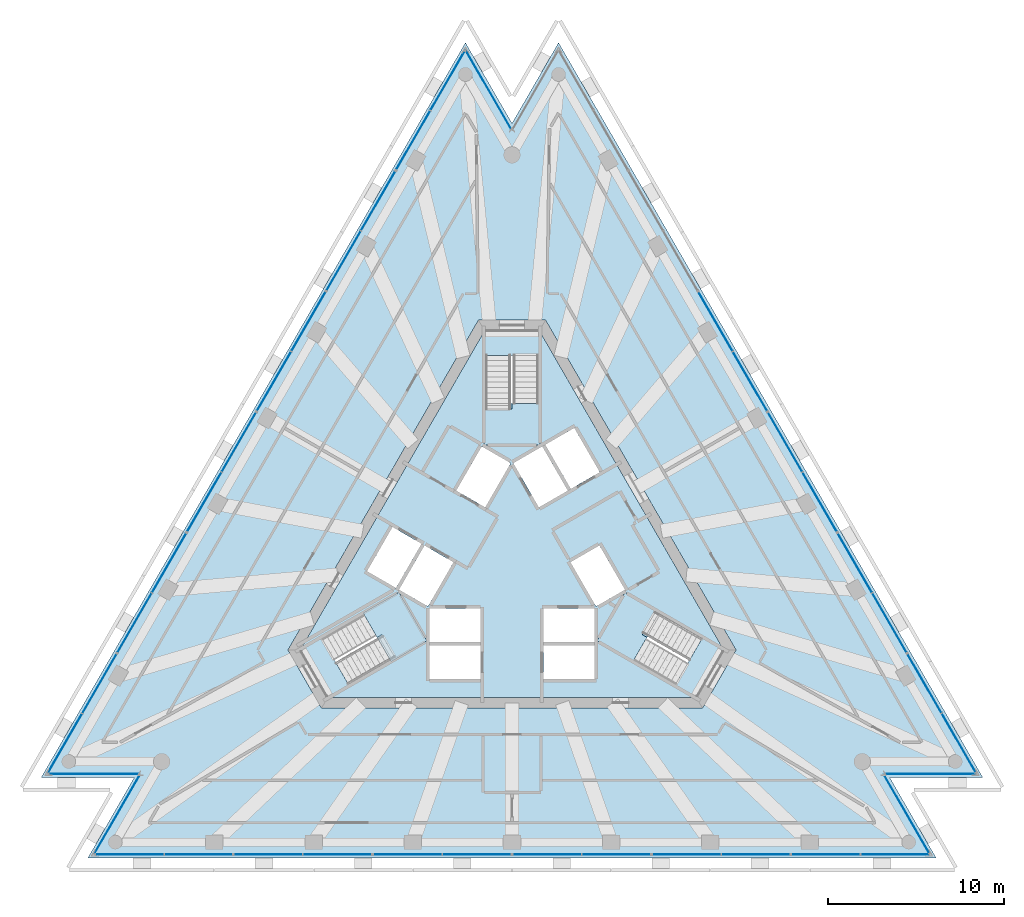
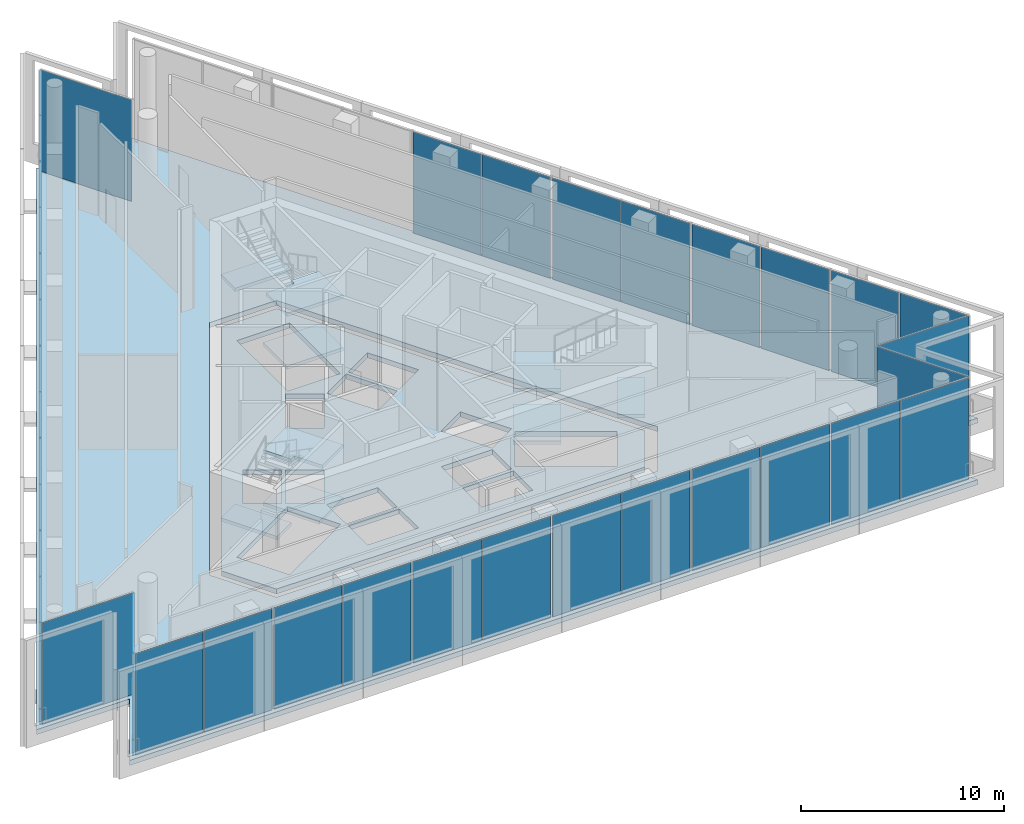
# One storey, part 9 of 16: 37 plates, 11 slabs, 24 elements without a shape of their own.
"""IFC4 building model written with IfcOpenShell, lengths in metres."""

from ifc_helpers import new_model, si_unit, direction, frame, origin, origin_2d, place, context, subcontext, project, spatial, polyline, rectangle, outline, extrude, material, layer, layer_set, type_object, element, aggregate, save


model = new_model("IFC4")

# Units and contexts
model_context = context("Model", 3, precision=1e-05, world=origin(), true_north=direction((0.0, 1.0)))
body_context = subcontext(model_context, "Body", "Model", "MODEL_VIEW")
ifc_project = project(units=[si_unit("LENGTHUNIT", "METRE"), si_unit("AREAUNIT", "SQUARE_METRE"), si_unit("VOLUMEUNIT", "CUBIC_METRE"), si_unit("PLANEANGLEUNIT", "RADIAN"), si_unit("MASSUNIT", "GRAM", prefix="KILO")], contexts=[model_context])

# Site, building, storey
site_placement = place(None, origin())
site = spatial("IfcSite", under=ifc_project, at=site_placement, CompositionType="ELEMENT")
building_placement = place(site_placement, origin())
building = spatial("IfcBuilding", under=site, at=building_placement, Name="Triada Interchange Tower", CompositionType="ELEMENT")
storey_placement = place(building_placement, frame((0.0, 0.0, 261.800048828125)))
storey = spatial("IfcBuildingStorey", under=building, at=storey_placement, Name="L61", CompositionType="ELEMENT", Elevation=261.800048828125)

# Slabs
ifc_material_1 = material(Name="Concrete C50/60", Category="concrete")
ifc_layer_1 = layer(ifc_material_1, 0.300048828125)
ifc_layer_set_1 = layer_set([ifc_layer_1], Name="Floor slab 300")
slab_type_1 = type_object("IfcSlabType", Name="Floor slab 300", PredefinedType="FLOOR", material=ifc_layer_set_1)
slab_1_placement = place(storey_placement, frame((0.0, 0.0, -0.300048828125)))
element("IfcSlab", 1, at=slab_1_placement, inside=storey, type_object=slab_type_1, Name="Floor slab L61", PredefinedType="FLOOR", context=body_context, shape_type="SweptSolid", body=[
    extrude(outline(polyline([(-2.64599609375, 29.367919921875), (-26.757080078125, -12.39208984375), (-21.464111328125, -12.39208984375), (-24.111083984375, -16.97607421875), (24.111083984375, -16.97607421875), (21.464111328125, -12.39208984375), (26.757080078125, -12.39208984375), (2.64599609375, 29.367919921875), (0.0, 24.784912109375), (-2.64599609375, 29.367919921875)]), holes=[polyline([(1.905029296875, 13.60009765625), (-1.905029296875, 13.60009765625), (-12.73095703125, -5.14990234375), (-10.824951171875, -8.449951171875), (10.824951171875, -8.449951171875), (12.73095703125, -5.14990234375), (1.905029296875, 13.60009765625)])]), origin(), (0.0, 0.0, 1.0), 0.300048828125),
])
slab_2_placement = place(storey_placement, frame((0.0, 0.0, -0.300048828125)))
element("IfcSlab", 2, at=slab_2_placement, inside=storey, type_object=slab_type_1, Name="Core floor slab L61 1", PredefinedType="FLOOR", context=body_context, shape_type="SweptSolid", body=[
    extrude(outline(polyline([(12.0380859375, -5.14990234375), (10.47900390625, -7.85009765625), (-10.47900390625, -7.85009765625), (-12.0380859375, -5.14990234375), (-1.55908203125, 13.0), (1.55908203125, 13.0), (12.0380859375, -5.14990234375)]), holes=[polyline([(9.2958984375, -7.09912109375), (10.7958984375, -4.5009765625), (6.466064453125, -2.0009765625), (4.966064453125, -4.59912109375), (9.2958984375, -7.09912109375)]), polyline([(4.969970703125, 0.791015625), (3.324951171875, -0.158935546875), (4.77490234375, -2.669921875), (6.419921875, -1.719970703125), (4.969970703125, 0.791015625)]), polyline([(1.89404296875, 6.52001953125), (3.343994140625, 4.009033203125), (4.989013671875, 4.958984375), (3.5390625, 7.469970703125), (1.89404296875, 6.52001953125)]), polyline([(1.800048828125, -4.89990234375), (1.800048828125, -6.4990234375), (1.800048828125, -6.800048828125), (4.699951171875, -6.800048828125), (4.699951171875, -4.89990234375), (1.800048828125, -4.89990234375)]), polyline([(4.699951171875, -2.800048828125), (1.800048828125, -2.800048828125), (1.800048828125, -4.699951171875), (4.699951171875, -4.699951171875), (4.699951171875, -2.800048828125)]), polyline([(1.52490234375, 2.958984375), (2.594970703125, 3.576904296875), (3.169921875, 3.908935546875), (1.719970703125, 6.419921875), (0.074951171875, 5.469970703125), (1.52490234375, 2.958984375)]), polyline([(-1.5, 11.60009765625), (-1.5, 6.60009765625), (1.5, 6.60009765625), (1.5, 11.60009765625), (-1.5, 11.60009765625)]), polyline([(-1.52490234375, 2.958984375), (-0.074951171875, 5.469970703125), (-1.719970703125, 6.419921875), (-3.169921875, 3.908935546875), (-1.52490234375, 2.958984375)]), polyline([(-1.800048828125, -2.800048828125), (-4.699951171875, -2.800048828125), (-4.699951171875, -4.699951171875), (-1.800048828125, -4.699951171875), (-1.800048828125, -2.800048828125)]), polyline([(-4.699951171875, -6.800048828125), (-1.800048828125, -6.800048828125), (-1.800048828125, -6.4990234375), (-1.800048828125, -4.89990234375), (-4.699951171875, -4.89990234375), (-4.699951171875, -6.800048828125)]), polyline([(-3.427978515625, -0.09912109375), (-4.969970703125, 0.791015625), (-6.419921875, -1.719970703125), (-4.77490234375, -2.669921875), (-3.324951171875, -0.158935546875), (-3.427978515625, -0.09912109375)]), polyline([(-10.7958984375, -4.5009765625), (-9.2958984375, -7.09912109375), (-4.966064453125, -4.59912109375), (-6.466064453125, -2.0009765625), (-10.7958984375, -4.5009765625)]), polyline([(-6.593994140625, -1.6201171875), (-5.14404296875, 0.89111328125), (-6.7890625, 1.841064453125), (-8.239013671875, -0.669921875), (-6.593994140625, -1.6201171875)])]), origin(), (0.0, 0.0, 1.0), 0.300048828125),
])

# Curtain wall, plates
ifc_material_2 = material(Name="Aluminium framed glazing", Category="aluminium")
ifc_layer_2 = layer(ifc_material_2, 0.199951171875)
ifc_layer_set_2 = layer_set([ifc_layer_2], Name="Curtain wall Sky lobby glazing")
curtain_wall_type_1 = type_object("IfcCurtainWallType", Name="Curtain wall Sky lobby glazing", PredefinedType="NOTDEFINED", material=ifc_layer_set_2)
curtain_wall_1_placement = place(storey_placement, origin())
curtain_wall_1 = element("IfcCurtainWall", 3, at=curtain_wall_1_placement, inside=storey, type_object=curtain_wall_type_1, Name="Sky lobby glazing CW201 L61", PredefinedType="NOTDEFINED")
ifc_material_3 = material(Name="Insulated glazing unit", Category="glass")
ifc_layer_3 = layer(ifc_material_3, 0.028076171875)
ifc_layer_set_3 = layer_set([ifc_layer_3], Name="Glazing panel Sky lobby glazing 28")
plate_type_1 = type_object("IfcPlateType", Name="Glazing panel Sky lobby glazing 28", PredefinedType="CURTAIN_PANEL", material=ifc_layer_set_3)
plate_1_placement = place(storey_placement, frame((-3.66552734375, 27.201904296875, 0.059814453125), z_axis=(0.0, 0.0, 1.0), x_axis=(-0.499972197871, -0.866041454756, 0.0)))
plate_1 = element("IfcPlate", 4, at=plate_1_placement, type_object=plate_type_1, Name="CW201 panel 1.1", PredefinedType="CURTAIN_PANEL", context=body_context, shape_type="SweptSolid", body=[
    extrude(rectangle(XDim=3.838134765625, YDim=0.028076171875, at=origin_2d()), origin(), (0.0, 0.0, 1.0), 6.080078125),
])
plate_2_placement = place(storey_placement, frame((-5.614501953125, 23.825927734375, 0.059814453125), z_axis=(0.0, 0.0, 1.0), x_axis=(-0.499972197871, -0.866041454756, 0.0)))
plate_2 = element("IfcPlate", 5, at=plate_2_placement, type_object=plate_type_1, Name="CW201 panel 2.1", PredefinedType="CURTAIN_PANEL", context=body_context, shape_type="SweptSolid", body=[
    extrude(rectangle(XDim=3.838134765625, YDim=0.028076171875, at=origin_2d()), origin(), (0.0, 0.0, 1.0), 6.080078125),
])
aggregate(curtain_wall_1, [plate_1, plate_2])

curtain_wall_2_placement = place(storey_placement, origin())
curtain_wall_2 = element("IfcCurtainWall", 6, at=curtain_wall_2_placement, inside=storey, type_object=curtain_wall_type_1, Name="Sky lobby glazing CW202 L61", PredefinedType="NOTDEFINED")
plate_3_placement = place(storey_placement, frame((-7.60546875, 20.3779296875, 0.059814453125), z_axis=(0.0, 0.0, 1.0), x_axis=(-0.499999616608, -0.866025625136, 0.0)))
plate_3 = element("IfcPlate", 7, at=plate_3_placement, type_object=plate_type_1, Name="CW202 panel 1.1", PredefinedType="CURTAIN_PANEL", context=body_context, shape_type="SweptSolid", body=[
    extrude(rectangle(XDim=3.865966796875, YDim=0.028076171875, at=origin_2d()), origin(), (0.0, 0.0, 1.0), 6.080078125),
])
plate_4_placement = place(storey_placement, frame((-9.568603515625, 16.97802734375, 0.059814453125), z_axis=(0.0, 0.0, 1.0), x_axis=(-0.499999616608, -0.866025625136, 0.0)))
plate_4 = element("IfcPlate", 8, at=plate_4_placement, type_object=plate_type_1, Name="CW202 panel 2.1", PredefinedType="CURTAIN_PANEL", context=body_context, shape_type="SweptSolid", body=[
    extrude(rectangle(XDim=3.865966796875, YDim=0.028076171875, at=origin_2d()), origin(), (0.0, 0.0, 1.0), 6.080078125),
])
aggregate(curtain_wall_2, [plate_3, plate_4])

curtain_wall_3_placement = place(storey_placement, origin())
curtain_wall_3 = element("IfcCurtainWall", 9, at=curtain_wall_3_placement, inside=storey, type_object=curtain_wall_type_1, Name="Sky lobby glazing CW203 L61", PredefinedType="NOTDEFINED")
plate_5_placement = place(storey_placement, frame((-11.56640625, 13.51806640625, 0.059814453125), z_axis=(0.0, 0.0, 1.0), x_axis=(-0.499999616608, -0.866025625136, 0.0)))
plate_5 = element("IfcPlate", 10, at=plate_5_placement, type_object=plate_type_1, Name="CW203 panel 1.1", PredefinedType="CURTAIN_PANEL", context=body_context, shape_type="SweptSolid", body=[
    extrude(rectangle(XDim=3.865966796875, YDim=0.028076171875, at=origin_2d()), origin(), (0.0, 0.0, 1.0), 6.080078125),
])
plate_6_placement = place(storey_placement, frame((-13.529541015625, 10.117919921875, 0.059814453125), z_axis=(0.0, 0.0, 1.0), x_axis=(-0.499999616608, -0.866025625136, 0.0)))
plate_6 = element("IfcPlate", 11, at=plate_6_placement, type_object=plate_type_1, Name="CW203 panel 2.1", PredefinedType="CURTAIN_PANEL", context=body_context, shape_type="SweptSolid", body=[
    extrude(rectangle(XDim=3.865966796875, YDim=0.028076171875, at=origin_2d()), origin(), (0.0, 0.0, 1.0), 6.080078125),
])
aggregate(curtain_wall_3, [plate_5, plate_6])

curtain_wall_4_placement = place(storey_placement, origin())
curtain_wall_4 = element("IfcCurtainWall", 12, at=curtain_wall_4_placement, inside=storey, type_object=curtain_wall_type_1, Name="Sky lobby glazing CW204 L61", PredefinedType="NOTDEFINED")
plate_7_placement = place(storey_placement, frame((-15.527587890625, 6.657958984375, 0.059814453125), z_axis=(0.0, 0.0, 1.0), x_axis=(-0.499999616608, -0.866025625136, 0.0)))
plate_7 = element("IfcPlate", 13, at=plate_7_placement, type_object=plate_type_1, Name="CW204 panel 1.1", PredefinedType="CURTAIN_PANEL", context=body_context, shape_type="SweptSolid", body=[
    extrude(rectangle(XDim=3.865966796875, YDim=0.028076171875, at=origin_2d()), origin(), (0.0, 0.0, 1.0), 6.080078125),
])
plate_8_placement = place(storey_placement, frame((-17.490478515625, 3.258056640625, 0.059814453125), z_axis=(0.0, 0.0, 1.0), x_axis=(-0.499999616608, -0.866025625136, 0.0)))
plate_8 = element("IfcPlate", 14, at=plate_8_placement, type_object=plate_type_1, Name="CW204 panel 2.1", PredefinedType="CURTAIN_PANEL", context=body_context, shape_type="SweptSolid", body=[
    extrude(rectangle(XDim=3.865966796875, YDim=0.028076171875, at=origin_2d()), origin(), (0.0, 0.0, 1.0), 6.080078125),
])
aggregate(curtain_wall_4, [plate_7, plate_8])

curtain_wall_5_placement = place(storey_placement, origin())
curtain_wall_5 = element("IfcCurtainWall", 15, at=curtain_wall_5_placement, inside=storey, type_object=curtain_wall_type_1, Name="Sky lobby glazing CW205 L61", PredefinedType="NOTDEFINED")
plate_9_placement = place(storey_placement, frame((-19.48828125, -0.201904296875, 0.059814453125), z_axis=(0.0, 0.0, 1.0), x_axis=(-0.499904814926, -0.866080351938, 0.0)))
plate_9 = element("IfcPlate", 16, at=plate_9_placement, type_object=plate_type_1, Name="CW205 panel 1.1", PredefinedType="CURTAIN_PANEL", context=body_context, shape_type="SweptSolid", body=[
    extrude(rectangle(XDim=3.86572265625, YDim=0.028076171875, at=origin_2d()), origin(), (0.0, 0.0, 1.0), 6.080078125),
])
plate_10_placement = place(storey_placement, frame((-21.45068359375, -3.60205078125, 0.059814453125), z_axis=(0.0, 0.0, 1.0), x_axis=(-0.499904814926, -0.866080351938, 0.0)))
plate_10 = element("IfcPlate", 17, at=plate_10_placement, type_object=plate_type_1, Name="CW205 panel 2.1", PredefinedType="CURTAIN_PANEL", context=body_context, shape_type="SweptSolid", body=[
    extrude(rectangle(XDim=3.86572265625, YDim=0.028076171875, at=origin_2d()), origin(), (0.0, 0.0, 1.0), 6.080078125),
])
aggregate(curtain_wall_5, [plate_9, plate_10])

curtain_wall_6_placement = place(storey_placement, origin())
curtain_wall_6 = element("IfcCurtainWall", 18, at=curtain_wall_6_placement, inside=storey, type_object=curtain_wall_type_1, Name="Sky lobby glazing CW206 L61", PredefinedType="NOTDEFINED")
plate_11_placement = place(storey_placement, frame((-23.44921875, -7.06298828125, 0.059814453125), z_axis=(0.0, 0.0, 1.0), x_axis=(-0.500065038095, -0.865987850767, 0.0)))
plate_11 = element("IfcPlate", 19, at=plate_11_placement, type_object=plate_type_1, Name="CW206 panel 1.1", PredefinedType="CURTAIN_PANEL", context=body_context, shape_type="SweptSolid", body=[
    extrude(rectangle(XDim=3.868408203125, YDim=0.028076171875, at=origin_2d()), origin(), (0.0, 0.0, 1.0), 6.080078125),
])
plate_12_placement = place(storey_placement, frame((-25.413818359375, -10.465087890625, 0.059814453125), z_axis=(0.0, 0.0, 1.0), x_axis=(-0.500065038095, -0.865987850767, 0.0)))
plate_12 = element("IfcPlate", 20, at=plate_12_placement, type_object=plate_type_1, Name="CW206 panel 2.1", PredefinedType="CURTAIN_PANEL", context=body_context, shape_type="SweptSolid", body=[
    extrude(rectangle(XDim=3.868408203125, YDim=0.028076171875, at=origin_2d()), origin(), (0.0, 0.0, 1.0), 6.080078125),
])
aggregate(curtain_wall_6, [plate_11, plate_12])

curtain_wall_7_placement = place(storey_placement, origin())
curtain_wall_7 = element("IfcCurtainWall", 21, at=curtain_wall_7_placement, inside=storey, type_object=curtain_wall_type_1, Name="Sky lobby glazing CW209 L61", PredefinedType="NOTDEFINED")
plate_13_placement = place(storey_placement, frame((-21.725830078125, -16.77587890625, 0.059814453125), z_axis=(0.0, 0.0, 1.0), x_axis=(1.0, 0.0, 0.0)))
plate_13 = element("IfcPlate", 22, at=plate_13_placement, type_object=plate_type_1, Name="CW209 panel 1.1", PredefinedType="CURTAIN_PANEL", context=body_context, shape_type="SweptSolid", body=[
    extrude(rectangle(XDim=3.83837890625, YDim=0.028076171875, at=origin_2d()), origin(), (0.0, 0.0, 1.0), 6.080078125),
])
plate_14_placement = place(storey_placement, frame((-17.8271484375, -16.77587890625, 0.059814453125), z_axis=(0.0, 0.0, 1.0), x_axis=(1.0, 0.0, 0.0)))
plate_14 = element("IfcPlate", 23, at=plate_14_placement, type_object=plate_type_1, Name="CW209 panel 2.1", PredefinedType="CURTAIN_PANEL", context=body_context, shape_type="SweptSolid", body=[
    extrude(rectangle(XDim=3.83837890625, YDim=0.028076171875, at=origin_2d()), origin(), (0.0, 0.0, 1.0), 6.080078125),
])
aggregate(curtain_wall_7, [plate_13, plate_14])

curtain_wall_8_placement = place(storey_placement, origin())
curtain_wall_8 = element("IfcCurtainWall", 24, at=curtain_wall_8_placement, inside=storey, type_object=curtain_wall_type_1, Name="Sky lobby glazing CW210 L61", PredefinedType="NOTDEFINED")
plate_15_placement = place(storey_placement, frame((-13.84521484375, -16.77587890625, 0.059814453125), z_axis=(0.0, 0.0, 1.0), x_axis=(1.0, 0.0, 0.0)))
plate_15 = element("IfcPlate", 25, at=plate_15_placement, type_object=plate_type_1, Name="CW210 panel 1.1", PredefinedType="CURTAIN_PANEL", context=body_context, shape_type="SweptSolid", body=[
    extrude(rectangle(XDim=3.865478515625, YDim=0.028076171875, at=origin_2d()), origin(), (0.0, 0.0, 1.0), 6.080078125),
])
plate_16_placement = place(storey_placement, frame((-9.919677734375, -16.77587890625, 0.059814453125), z_axis=(0.0, 0.0, 1.0), x_axis=(1.0, 0.0, 0.0)))
plate_16 = element("IfcPlate", 26, at=plate_16_placement, type_object=plate_type_1, Name="CW210 panel 2.1", PredefinedType="CURTAIN_PANEL", context=body_context, shape_type="SweptSolid", body=[
    extrude(rectangle(XDim=3.865478515625, YDim=0.028076171875, at=origin_2d()), origin(), (0.0, 0.0, 1.0), 6.080078125),
])
aggregate(curtain_wall_8, [plate_15, plate_16])

curtain_wall_9_placement = place(storey_placement, origin())
curtain_wall_9 = element("IfcCurtainWall", 27, at=curtain_wall_9_placement, inside=storey, type_object=curtain_wall_type_1, Name="Sky lobby glazing CW211 L61", PredefinedType="NOTDEFINED")
plate_17_placement = place(storey_placement, frame((-5.924072265625, -16.77587890625, 0.059814453125), z_axis=(0.0, 0.0, 1.0), x_axis=(1.0, 0.0, 0.0)))
plate_17 = element("IfcPlate", 28, at=plate_17_placement, type_object=plate_type_1, Name="CW211 panel 1.1", PredefinedType="CURTAIN_PANEL", context=body_context, shape_type="SweptSolid", body=[
    extrude(rectangle(XDim=3.865966796875, YDim=0.028076171875, at=origin_2d()), origin(), (0.0, 0.0, 1.0), 6.080078125),
])
plate_18_placement = place(storey_placement, frame((-1.998046875, -16.77587890625, 0.059814453125), z_axis=(0.0, 0.0, 1.0), x_axis=(1.0, 0.0, 0.0)))
plate_18 = element("IfcPlate", 29, at=plate_18_placement, type_object=plate_type_1, Name="CW211 panel 2.1", PredefinedType="CURTAIN_PANEL", context=body_context, shape_type="SweptSolid", body=[
    extrude(rectangle(XDim=3.865966796875, YDim=0.028076171875, at=origin_2d()), origin(), (0.0, 0.0, 1.0), 6.080078125),
])
aggregate(curtain_wall_9, [plate_17, plate_18])

curtain_wall_10_placement = place(storey_placement, origin())
curtain_wall_10 = element("IfcCurtainWall", 30, at=curtain_wall_10_placement, inside=storey, type_object=curtain_wall_type_1, Name="Sky lobby glazing CW212 L61", PredefinedType="NOTDEFINED")
plate_19_placement = place(storey_placement, frame((1.998046875, -16.77587890625, 0.059814453125), z_axis=(0.0, 0.0, 1.0), x_axis=(1.0, 0.0, 0.0)))
plate_19 = element("IfcPlate", 31, at=plate_19_placement, type_object=plate_type_1, Name="CW212 panel 1.1", PredefinedType="CURTAIN_PANEL", context=body_context, shape_type="SweptSolid", body=[
    extrude(rectangle(XDim=3.865966796875, YDim=0.028076171875, at=origin_2d()), origin(), (0.0, 0.0, 1.0), 6.080078125),
])
plate_20_placement = place(storey_placement, frame((5.924072265625, -16.77587890625, 0.059814453125), z_axis=(0.0, 0.0, 1.0), x_axis=(1.0, 0.0, 0.0)))
plate_20 = element("IfcPlate", 32, at=plate_20_placement, type_object=plate_type_1, Name="CW212 panel 2.1", PredefinedType="CURTAIN_PANEL", context=body_context, shape_type="SweptSolid", body=[
    extrude(rectangle(XDim=3.865966796875, YDim=0.028076171875, at=origin_2d()), origin(), (0.0, 0.0, 1.0), 6.080078125),
])
aggregate(curtain_wall_10, [plate_19, plate_20])

curtain_wall_11_placement = place(storey_placement, origin())
curtain_wall_11 = element("IfcCurtainWall", 33, at=curtain_wall_11_placement, inside=storey, type_object=curtain_wall_type_1, Name="Sky lobby glazing CW213 L61", PredefinedType="NOTDEFINED")
plate_21_placement = place(storey_placement, frame((9.919677734375, -16.77587890625, 0.059814453125), z_axis=(0.0, 0.0, 1.0), x_axis=(1.0, 0.0, 0.0)))
plate_21 = element("IfcPlate", 34, at=plate_21_placement, type_object=plate_type_1, Name="CW213 panel 1.1", PredefinedType="CURTAIN_PANEL", context=body_context, shape_type="SweptSolid", body=[
    extrude(rectangle(XDim=3.865478515625, YDim=0.028076171875, at=origin_2d()), origin(), (0.0, 0.0, 1.0), 6.080078125),
])
plate_22_placement = place(storey_placement, frame((13.84521484375, -16.77587890625, 0.059814453125), z_axis=(0.0, 0.0, 1.0), x_axis=(1.0, 0.0, 0.0)))
plate_22 = element("IfcPlate", 35, at=plate_22_placement, type_object=plate_type_1, Name="CW213 panel 2.1", PredefinedType="CURTAIN_PANEL", context=body_context, shape_type="SweptSolid", body=[
    extrude(rectangle(XDim=3.865478515625, YDim=0.028076171875, at=origin_2d()), origin(), (0.0, 0.0, 1.0), 6.080078125),
])
aggregate(curtain_wall_11, [plate_21, plate_22])

curtain_wall_12_placement = place(storey_placement, origin())
curtain_wall_12 = element("IfcCurtainWall", 36, at=curtain_wall_12_placement, inside=storey, type_object=curtain_wall_type_1, Name="Sky lobby glazing CW214 L61", PredefinedType="NOTDEFINED")
plate_23_placement = place(storey_placement, frame((17.84228515625, -16.77587890625, 0.059814453125), z_axis=(0.0, 0.0, 1.0), x_axis=(1.0, 0.0, 0.0)))
plate_23 = element("IfcPlate", 37, at=plate_23_placement, type_object=plate_type_1, Name="CW214 panel 1.1", PredefinedType="CURTAIN_PANEL", context=body_context, shape_type="SweptSolid", body=[
    extrude(rectangle(XDim=3.868408203125, YDim=0.028076171875, at=origin_2d()), origin(), (0.0, 0.0, 1.0), 6.080078125),
])
plate_24_placement = place(storey_placement, frame((21.770751953125, -16.77587890625, 0.059814453125), z_axis=(0.0, 0.0, 1.0), x_axis=(1.0, 0.0, 0.0)))
plate_24 = element("IfcPlate", 38, at=plate_24_placement, type_object=plate_type_1, Name="CW214 panel 2.1", PredefinedType="CURTAIN_PANEL", context=body_context, shape_type="SweptSolid", body=[
    extrude(rectangle(XDim=3.868408203125, YDim=0.028076171875, at=origin_2d()), origin(), (0.0, 0.0, 1.0), 6.080078125),
])
aggregate(curtain_wall_12, [plate_23, plate_24])

curtain_wall_13_placement = place(storey_placement, origin())
curtain_wall_13 = element("IfcCurtainWall", 39, at=curtain_wall_13_placement, inside=storey, type_object=curtain_wall_type_1, Name="Sky lobby glazing CW217 L61", PredefinedType="NOTDEFINED")
plate_25_placement = place(storey_placement, frame((25.3916015625, -10.426025390625, 0.059814453125), z_axis=(0.0, 0.0, 1.0), x_axis=(-0.499972197871, 0.866041454756, 0.0)))
plate_25 = element("IfcPlate", 40, at=plate_25_placement, type_object=plate_type_1, Name="CW217 panel 1.1", PredefinedType="CURTAIN_PANEL", context=body_context, shape_type="SweptSolid", body=[
    extrude(rectangle(XDim=3.838134765625, YDim=0.028076171875, at=origin_2d()), origin(), (0.0, 0.0, 1.0), 6.080078125),
])
plate_26_placement = place(storey_placement, frame((23.4423828125, -7.050048828125, 0.059814453125), z_axis=(0.0, 0.0, 1.0), x_axis=(-0.499972197871, 0.866041454756, 0.0)))
plate_26 = element("IfcPlate", 41, at=plate_26_placement, type_object=plate_type_1, Name="CW217 panel 2.1", PredefinedType="CURTAIN_PANEL", context=body_context, shape_type="SweptSolid", body=[
    extrude(rectangle(XDim=3.838134765625, YDim=0.028076171875, at=origin_2d()), origin(), (0.0, 0.0, 1.0), 6.080078125),
])
aggregate(curtain_wall_13, [plate_25, plate_26])

curtain_wall_14_placement = place(storey_placement, origin())
curtain_wall_14 = element("IfcCurtainWall", 42, at=curtain_wall_14_placement, inside=storey, type_object=curtain_wall_type_1, Name="Sky lobby glazing CW218 L61", PredefinedType="NOTDEFINED")
plate_27_placement = place(storey_placement, frame((21.451416015625, -3.60205078125, 0.059814453125), z_axis=(0.0, 0.0, 1.0), x_axis=(-0.499999616608, 0.866025625136, 0.0)))
plate_27 = element("IfcPlate", 43, at=plate_27_placement, type_object=plate_type_1, Name="CW218 panel 1.1", PredefinedType="CURTAIN_PANEL", context=body_context, shape_type="SweptSolid", body=[
    extrude(rectangle(XDim=3.865966796875, YDim=0.028076171875, at=origin_2d()), origin(), (0.0, 0.0, 1.0), 6.080078125),
])
plate_28_placement = place(storey_placement, frame((19.488525390625, -0.201904296875, 0.059814453125), z_axis=(0.0, 0.0, 1.0), x_axis=(-0.499999616608, 0.866025625136, 0.0)))
plate_28 = element("IfcPlate", 44, at=plate_28_placement, type_object=plate_type_1, Name="CW218 panel 2.1", PredefinedType="CURTAIN_PANEL", context=body_context, shape_type="SweptSolid", body=[
    extrude(rectangle(XDim=3.865966796875, YDim=0.028076171875, at=origin_2d()), origin(), (0.0, 0.0, 1.0), 6.080078125),
])
aggregate(curtain_wall_14, [plate_27, plate_28])

curtain_wall_15_placement = place(storey_placement, origin())
curtain_wall_15 = element("IfcCurtainWall", 45, at=curtain_wall_15_placement, inside=storey, type_object=curtain_wall_type_1, Name="Sky lobby glazing CW219 L61", PredefinedType="NOTDEFINED")
plate_29_placement = place(storey_placement, frame((17.490478515625, 3.258056640625, 0.059814453125), z_axis=(0.0, 0.0, 1.0), x_axis=(-0.499999616608, 0.866025625136, 0.0)))
plate_29 = element("IfcPlate", 46, at=plate_29_placement, type_object=plate_type_1, Name="CW219 panel 1.1", PredefinedType="CURTAIN_PANEL", context=body_context, shape_type="SweptSolid", body=[
    extrude(rectangle(XDim=3.865966796875, YDim=0.028076171875, at=origin_2d()), origin(), (0.0, 0.0, 1.0), 6.080078125),
])
plate_30_placement = place(storey_placement, frame((15.527587890625, 6.657958984375, 0.059814453125), z_axis=(0.0, 0.0, 1.0), x_axis=(-0.499999616608, 0.866025625136, 0.0)))
plate_30 = element("IfcPlate", 47, at=plate_30_placement, type_object=plate_type_1, Name="CW219 panel 2.1", PredefinedType="CURTAIN_PANEL", context=body_context, shape_type="SweptSolid", body=[
    extrude(rectangle(XDim=3.865966796875, YDim=0.028076171875, at=origin_2d()), origin(), (0.0, 0.0, 1.0), 6.080078125),
])
aggregate(curtain_wall_15, [plate_29, plate_30])

curtain_wall_16_placement = place(storey_placement, origin())
curtain_wall_16 = element("IfcCurtainWall", 48, at=curtain_wall_16_placement, inside=storey, type_object=curtain_wall_type_1, Name="Sky lobby glazing CW220 L61", PredefinedType="NOTDEFINED")
plate_31_placement = place(storey_placement, frame((13.529541015625, 10.117919921875, 0.059814453125), z_axis=(0.0, 0.0, 1.0), x_axis=(-0.499999616608, 0.866025625136, 0.0)))
plate_31 = element("IfcPlate", 49, at=plate_31_placement, type_object=plate_type_1, Name="CW220 panel 1.1", PredefinedType="CURTAIN_PANEL", context=body_context, shape_type="SweptSolid", body=[
    extrude(rectangle(XDim=3.865966796875, YDim=0.028076171875, at=origin_2d()), origin(), (0.0, 0.0, 1.0), 6.080078125),
])
plate_32_placement = place(storey_placement, frame((11.56640625, 13.51806640625, 0.059814453125), z_axis=(0.0, 0.0, 1.0), x_axis=(-0.499999616608, 0.866025625136, 0.0)))
plate_32 = element("IfcPlate", 50, at=plate_32_placement, type_object=plate_type_1, Name="CW220 panel 2.1", PredefinedType="CURTAIN_PANEL", context=body_context, shape_type="SweptSolid", body=[
    extrude(rectangle(XDim=3.865966796875, YDim=0.028076171875, at=origin_2d()), origin(), (0.0, 0.0, 1.0), 6.080078125),
])
aggregate(curtain_wall_16, [plate_31, plate_32])

# Curtain wall, plate
ifc_layer_4 = layer(ifc_material_2, 0.199951171875)
ifc_layer_set_4 = layer_set([ifc_layer_4], Name="Curtain wall Winter garden glazing")
curtain_wall_type_2 = type_object("IfcCurtainWallType", Name="Curtain wall Winter garden glazing", PredefinedType="NOTDEFINED", material=ifc_layer_set_4)
curtain_wall_17_placement = place(storey_placement, origin())
curtain_wall_17 = element("IfcCurtainWall", 51, at=curtain_wall_17_placement, inside=storey, type_object=curtain_wall_type_2, Name="Winter garden glazing CW207 L61", PredefinedType="NOTDEFINED")
ifc_layer_5 = layer(ifc_material_3, 0.02392578125)
ifc_layer_set_5 = layer_set([ifc_layer_5], Name="Glazing panel Winter garden glazing 24")
plate_type_2 = type_object("IfcPlateType", Name="Glazing panel Winter garden glazing 24", PredefinedType="CURTAIN_PANEL", material=ifc_layer_set_5)
plate_33_placement = place(storey_placement, frame((-23.734619140625, -12.19189453125, 0.0498046875), z_axis=(0.0, 0.0, 1.0), x_axis=(1.0, 0.0, 0.0)))
plate_33 = element("IfcPlate", 52, at=plate_33_placement, type_object=plate_type_2, Name="CW207 panel 1.1", PredefinedType="CURTAIN_PANEL", context=body_context, shape_type="SweptSolid", body=[
    extrude(rectangle(XDim=5.133056640625, YDim=0.02392578125, at=origin_2d()), origin(), (0.0, 0.0, 1.0), 6.10009765625),
])
aggregate(curtain_wall_17, [plate_33])

curtain_wall_18_placement = place(storey_placement, origin())
curtain_wall_18 = element("IfcCurtainWall", 53, at=curtain_wall_18_placement, inside=storey, type_object=curtain_wall_type_2, Name="Winter garden glazing CW208 L61", PredefinedType="NOTDEFINED")
plate_34_placement = place(storey_placement, frame((-22.45654296875, -14.510009765625, 0.0498046875), z_axis=(0.0, 0.0, 1.0), x_axis=(-0.500064285642, -0.86598828527, 0.0)))
plate_34 = element("IfcPlate", 54, at=plate_34_placement, type_object=plate_type_2, Name="CW208 panel 1.1", PredefinedType="CURTAIN_PANEL", context=body_context, shape_type="SweptSolid", body=[
    extrude(rectangle(XDim=5.13330078125, YDim=0.02392578125, at=origin_2d()), origin(), (0.0, 0.0, 1.0), 6.10009765625),
])
aggregate(curtain_wall_18, [plate_34])

curtain_wall_19_placement = place(storey_placement, origin())
curtain_wall_19 = element("IfcCurtainWall", 55, at=curtain_wall_19_placement, inside=storey, type_object=curtain_wall_type_2, Name="Winter garden glazing CW215 L61", PredefinedType="NOTDEFINED")
plate_35_placement = place(storey_placement, frame((22.426513671875, -14.4580078125, 0.0498046875), z_axis=(0.0, 0.0, 1.0), x_axis=(-0.500064285642, 0.86598828527, 0.0)))
plate_35 = element("IfcPlate", 56, at=plate_35_placement, type_object=plate_type_2, Name="CW215 panel 1.1", PredefinedType="CURTAIN_PANEL", context=body_context, shape_type="SweptSolid", body=[
    extrude(rectangle(XDim=5.13330078125, YDim=0.02392578125, at=origin_2d()), origin(), (0.0, 0.0, 1.0), 6.10009765625),
])
aggregate(curtain_wall_19, [plate_35])

curtain_wall_20_placement = place(storey_placement, origin())
curtain_wall_20 = element("IfcCurtainWall", 57, at=curtain_wall_20_placement, inside=storey, type_object=curtain_wall_type_2, Name="Winter garden glazing CW216 L61", PredefinedType="NOTDEFINED")
plate_36_placement = place(storey_placement, frame((23.79443359375, -12.19189453125, 0.0498046875), z_axis=(0.0, 0.0, 1.0), x_axis=(1.0, 0.0, 0.0)))
plate_36 = element("IfcPlate", 58, at=plate_36_placement, type_object=plate_type_2, Name="CW216 panel 1.1", PredefinedType="CURTAIN_PANEL", context=body_context, shape_type="SweptSolid", body=[
    extrude(rectangle(XDim=5.133056640625, YDim=0.02392578125, at=origin_2d()), origin(), (0.0, 0.0, 1.0), 6.10009765625),
])
aggregate(curtain_wall_20, [plate_36])

curtain_wall_21_placement = place(storey_placement, origin())
curtain_wall_21 = element("IfcCurtainWall", 59, at=curtain_wall_21_placement, inside=storey, type_object=curtain_wall_type_2, Name="Winter garden glazing CW224 L61", PredefinedType="NOTDEFINED")
plate_37_placement = place(storey_placement, frame((-1.337890625, 26.702392578125, 0.0498046875), z_axis=(0.0, 0.0, 1.0), x_axis=(-0.50000371709, 0.866023257711, 0.0)))
plate_37 = element("IfcPlate", 60, at=plate_37_placement, type_object=plate_type_2, Name="CW224 panel 1.1", PredefinedType="CURTAIN_PANEL", context=body_context, shape_type="SweptSolid", body=[
    extrude(rectangle(XDim=5.132080078125, YDim=0.02392578125, at=origin_2d()), origin(), (0.0, 0.0, 1.0), 6.10009765625),
])
aggregate(curtain_wall_21, [plate_37])

# Stair, slabs
ifc_material_4 = material(Name="Concrete C35/45", Category="concrete")
stair_type = type_object("IfcStairType", Name="HALF TURN STAIR 1400", PredefinedType="HALF_TURN_STAIR", material=ifc_material_4)
stair_1_placement = place(storey_placement, origin())
stair_1 = element("IfcStair", 61, at=stair_1_placement, inside=storey, type_object=stair_type, Name="Exit stair S61-1", PredefinedType="HALF_TURN_STAIR")
ifc_layer_6 = layer(ifc_material_4, 0.199951171875)
ifc_layer_set_6 = layer_set([ifc_layer_6], Name="STAIR LANDING 200")
slab_type_2 = type_object("IfcSlabType", Name="STAIR LANDING 200", PredefinedType="LANDING", material=ifc_layer_set_6)
slab_3_placement = place(storey_placement, frame((0.0, 0.0, 1.38525390625)))
slab_3 = element("IfcSlab", 62, at=slab_3_placement, type_object=slab_type_2, Name="S61-1 landing 1", PredefinedType="LANDING", context=body_context, shape_type="SweptSolid", body=[
    extrude(outline(polyline([(1.60009765625, 6.5), (1.60009765625, 8.85498046875), (-1.60009765625, 8.85498046875), (-1.60009765625, 6.5), (1.60009765625, 6.5)])), origin(), (0.0, 0.0, 1.0), 0.2001953125),
])
slab_4_placement = place(storey_placement, frame((0.0, 0.0, 4.55615234375)))
slab_4 = element("IfcSlab", 63, at=slab_4_placement, type_object=slab_type_2, Name="S61-1 landing 2", PredefinedType="LANDING", context=body_context, shape_type="SweptSolid", body=[
    extrude(outline(polyline([(1.60009765625, 6.5), (1.60009765625, 8.85498046875), (0.0, 8.85498046875), (0.0, 8.550048828125), (-1.60009765625, 8.550048828125), (-1.60009765625, 6.5), (1.60009765625, 6.5)])), origin(), (0.0, 0.0, 1.0), 0.199951171875),
])
slab_5_placement = place(storey_placement, frame((0.0, 0.0, 2.970703125)))
slab_5 = element("IfcSlab", 64, at=slab_5_placement, type_object=slab_type_2, Name="S61-1 landing 3", PredefinedType="LANDING", context=body_context, shape_type="SweptSolid", body=[
    extrude(outline(polyline([(1.60009765625, 11.60009765625), (1.60009765625, 13.0), (-1.60009765625, 13.0), (-1.60009765625, 11.60009765625), (1.60009765625, 11.60009765625)])), origin(), (0.0, 0.0, 1.0), 0.199951171875),
])
aggregate(stair_1, [slab_3, slab_4, slab_5])

stair_2_placement = place(storey_placement, origin())
stair_2 = element("IfcStair", 65, at=stair_2_placement, inside=storey, type_object=stair_type, Name="Exit stair S61-2", PredefinedType="HALF_TURN_STAIR")
slab_6_placement = place(storey_placement, frame((0.0, 0.0, 1.38525390625)))
slab_6 = element("IfcSlab", 66, at=slab_6_placement, type_object=slab_type_2, Name="S61-2 landing 1", PredefinedType="LANDING", context=body_context, shape_type="SweptSolid", body=[
    extrude(outline(polyline([(-6.428955078125, -1.864013671875), (-8.468994140625, -3.0419921875), (-6.868896484375, -5.81298828125), (-4.8291015625, -4.635986328125), (-6.428955078125, -1.864013671875)])), origin(), (0.0, 0.0, 1.0), 0.2001953125),
])
slab_7_placement = place(storey_placement, frame((0.0, 0.0, 4.55615234375)))
slab_7 = element("IfcSlab", 67, at=slab_7_placement, type_object=slab_type_2, Name="S61-2 landing 2", PredefinedType="LANDING", context=body_context, shape_type="SweptSolid", body=[
    extrude(outline(polyline([(-6.428955078125, -1.864013671875), (-8.468994140625, -3.0419921875), (-7.6689453125, -4.427978515625), (-7.405029296875, -4.27490234375), (-6.60498046875, -5.660888671875), (-4.8291015625, -4.635986328125), (-6.428955078125, -1.864013671875)])), origin(), (0.0, 0.0, 1.0), 0.199951171875),
])
slab_8_placement = place(storey_placement, frame((0.0, 0.0, 2.970703125)))
slab_8 = element("IfcSlab", 68, at=slab_8_placement, type_object=slab_type_2, Name="S61-2 landing 3", PredefinedType="LANDING", context=body_context, shape_type="SweptSolid", body=[
    extrude(outline(polyline([(-10.845947265625, -4.4140625), (-12.05810546875, -5.114013671875), (-10.4580078125, -7.885986328125), (-9.24609375, -7.18603515625), (-10.845947265625, -4.4140625)])), origin(), (0.0, 0.0, 1.0), 0.199951171875),
])
aggregate(stair_2, [slab_6, slab_7, slab_8])

stair_3_placement = place(storey_placement, origin())
stair_3 = element("IfcStair", 69, at=stair_3_placement, inside=storey, type_object=stair_type, Name="Exit stair S61-3", PredefinedType="HALF_TURN_STAIR")
slab_9_placement = place(storey_placement, frame((0.0, 0.0, 1.38525390625)))
slab_9 = element("IfcSlab", 70, at=slab_9_placement, type_object=slab_type_2, Name="S61-3 landing 1", PredefinedType="LANDING", context=body_context, shape_type="SweptSolid", body=[
    extrude(outline(polyline([(4.8291015625, -4.635986328125), (6.868896484375, -5.81298828125), (8.468994140625, -3.0419921875), (6.428955078125, -1.864013671875), (4.8291015625, -4.635986328125)])), origin(), (0.0, 0.0, 1.0), 0.2001953125),
])
slab_10_placement = place(storey_placement, frame((0.0, 0.0, 4.55615234375)))
slab_10 = element("IfcSlab", 71, at=slab_10_placement, type_object=slab_type_2, Name="S61-3 landing 2", PredefinedType="LANDING", context=body_context, shape_type="SweptSolid", body=[
    extrude(outline(polyline([(4.8291015625, -4.635986328125), (6.868896484375, -5.81298828125), (7.6689453125, -4.427978515625), (7.405029296875, -4.27490234375), (8.205078125, -2.888916015625), (6.428955078125, -1.864013671875), (4.8291015625, -4.635986328125)])), origin(), (0.0, 0.0, 1.0), 0.199951171875),
])
slab_11_placement = place(storey_placement, frame((0.0, 0.0, 2.970703125)))
slab_11 = element("IfcSlab", 72, at=slab_11_placement, type_object=slab_type_2, Name="S61-3 landing 3", PredefinedType="LANDING", context=body_context, shape_type="SweptSolid", body=[
    extrude(outline(polyline([(9.24609375, -7.18603515625), (10.4580078125, -7.885986328125), (12.05810546875, -5.114013671875), (10.845947265625, -4.4140625), (9.24609375, -7.18603515625)])), origin(), (0.0, 0.0, 1.0), 0.199951171875),
])
aggregate(stair_3, [slab_9, slab_10, slab_11])

save(model, "model.ifc")
